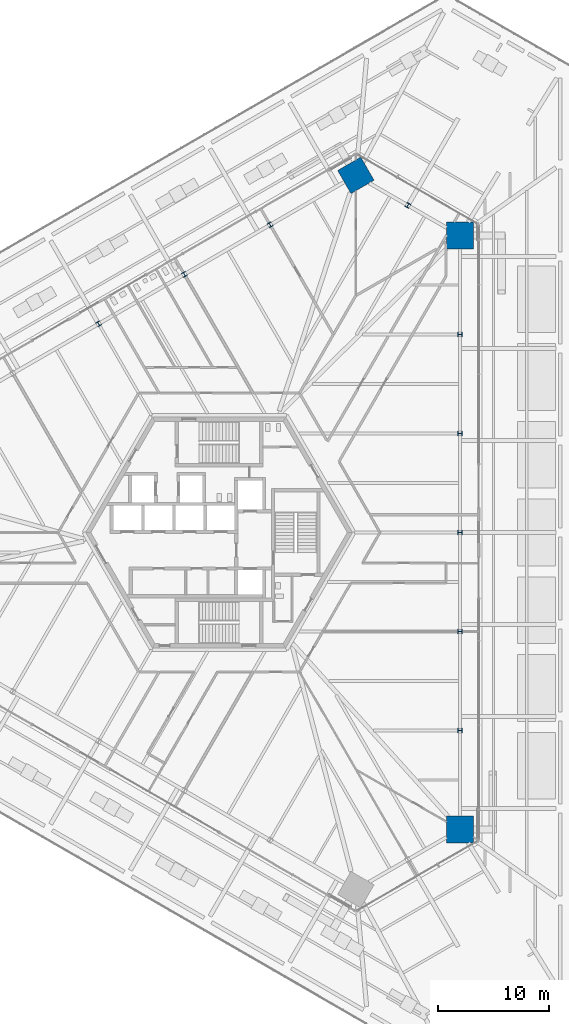
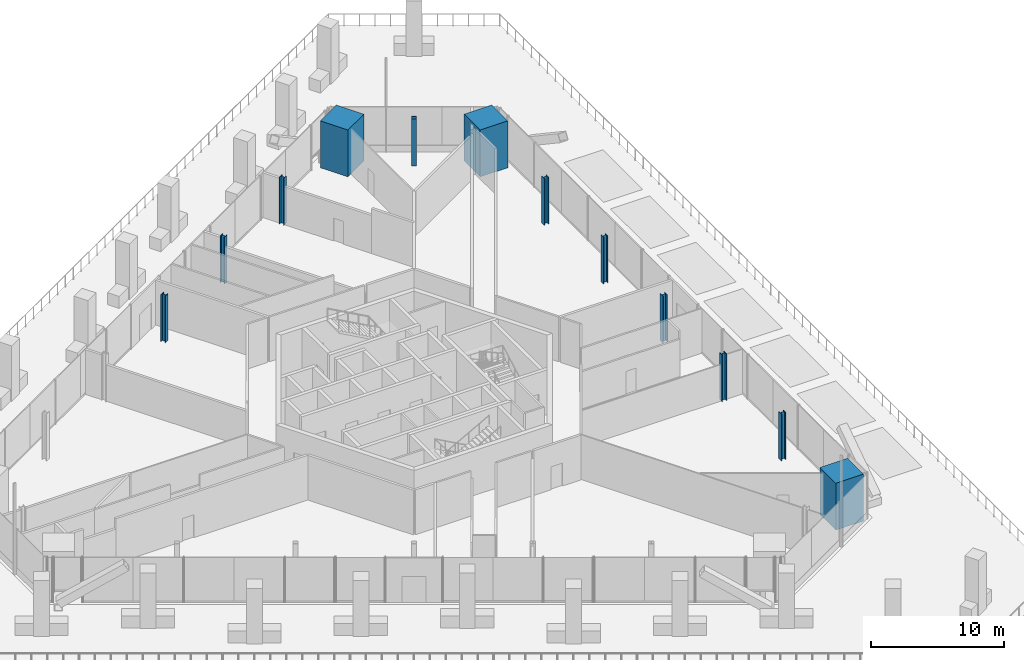
# One storey, part 2 of 38: 12 columns.
"""IFC4 building model written with IfcOpenShell, lengths in metres."""

import ifcopenshell
import ifcopenshell.guid

model = None  # the IFC model being written
_history = None  # IfcOwnerHistory: only IFC2X3 demands one
_inside = {}  # id of a spatial element -> (the spatial element, [elements in it])
_under = {}  # id of a project, library or spatial element -> (it, [spatial elements below it])
_declared = {}  # id of a project -> (the project, [libraries it declares])
_typed = {}  # id of a type object -> (the type object, [elements of that type])
_made_of = {}  # id of a material, layer set ... -> (it, [elements and type objects made of it])


def new_model(schema):
    """Start an empty IFC model of exactly this schema.

    Asked for "IFC4X3", IfcOpenShell would pick the latest addendum, in which some entities
    have other attributes; the version numbers below select the first issue.
    IFC2X3 requires an IfcOwnerHistory on every rooted entity: one is made here for all.
    """
    global model, _history
    if schema == "IFC4X3":
        model = ifcopenshell.file(schema_version=(4, 3, 0, 0))
    else:
        model = ifcopenshell.file(schema=schema)
    _inside.clear()
    _under.clear()
    _declared.clear()
    _typed.clear()
    _made_of.clear()
    _history = None
    if model.schema == "IFC2X3":
        org = make("IfcOrganization", Name="unknown")
        user = make(
            "IfcPersonAndOrganization",
            ThePerson=make("IfcPerson", FamilyName="unknown"),
            TheOrganization=org,
        )
        app = make(
            "IfcApplication",
            ApplicationDeveloper=org,
            Version="unknown",
            ApplicationFullName="unknown",
            ApplicationIdentifier="unknown",
        )
        _history = make(
            "IfcOwnerHistory",
            OwningUser=user,
            OwningApplication=app,
            ChangeAction="ADDED",
            CreationDate=0,
        )
    return model


def make(cls, **values):
    """One entity of the class cls with the attributes given. An attribute that is None is left unset."""
    return model.create_entity(
        cls, **{name: value for name, value in values.items() if value is not None}
    )


def rooted(cls, **values):
    """An entity with a GlobalId (a new one), such as an element, a storey or a relation."""
    return make(cls, GlobalId=ifcopenshell.guid.new(), OwnerHistory=_history, **values)


def si_unit(unit_type, name, prefix=None):
    """IfcSIUnit, for example si_unit("LENGTHUNIT", "METRE", prefix="MILLI")."""
    return make("IfcSIUnit", UnitType=unit_type, Prefix=prefix, Name=name)


def assignment(units):
    """IfcUnitAssignment: the units of a project."""
    return None if units is None else make("IfcUnitAssignment", Units=units)


def point(xyz):
    """IfcCartesianPoint."""
    return None if xyz is None else make("IfcCartesianPoint", Coordinates=xyz)


def direction(xyz):
    """IfcDirection."""
    return None if xyz is None else make("IfcDirection", DirectionRatios=xyz)


def frame(location, z_axis=None, x_axis=None):
    """IfcAxis2Placement3D, a coordinate frame: its origin and axes. An axis left out is left unset."""
    return make(
        "IfcAxis2Placement3D",
        Location=point(location),
        Axis=direction(z_axis),
        RefDirection=direction(x_axis),
    )


def frame_2d(location, x_axis=None):
    """IfcAxis2Placement2D, a coordinate frame in the plane: its origin and x axis."""
    return make(
        "IfcAxis2Placement2D", Location=point(location), RefDirection=direction(x_axis)
    )


def origin():
    """The frame at (0, 0, 0) with its axes left unset."""
    return frame((0.0, 0.0, 0.0))


def origin_2d():
    """The frame at (0, 0) in the plane with its x axis left unset."""
    return frame_2d((0.0, 0.0))


def place(relative_to, where):
    """IfcLocalPlacement: puts the frame where relative to a parent placement (None: the world)."""
    return make(
        "IfcLocalPlacement", PlacementRelTo=relative_to, RelativePlacement=where
    )


def context(
    kind, dimensions, precision=None, world=None, true_north=None, identifier=None
):
    """IfcGeometricRepresentationContext, for example the 3D "Model" context."""
    return make(
        "IfcGeometricRepresentationContext",
        ContextIdentifier=identifier,
        ContextType=kind,
        CoordinateSpaceDimension=dimensions,
        Precision=precision,
        WorldCoordinateSystem=world,
        TrueNorth=true_north,
    )


def subcontext(parent, identifier, kind, view, scale=None):
    """IfcGeometricRepresentationSubContext, for example "Body" below "Model"."""
    return make(
        "IfcGeometricRepresentationSubContext",
        ContextIdentifier=identifier,
        ContextType=kind,
        ParentContext=parent,
        TargetScale=scale,
        TargetView=view,
    )


def project(units=None, contexts=None):
    """IfcProject with its units and contexts."""
    return rooted(
        "IfcProject",
        Name="project",
        RepresentationContexts=contexts,
        UnitsInContext=assignment(units),
    )


def spatial(cls, under=None, at=None, **own):
    """A site, building, storey or space (cls), placed at a placement, below another one or the project."""
    s = rooted(cls, ObjectPlacement=at, **own)
    if under is not None:
        _under.setdefault(under.id(), (under, []))[1].append(s)
    return s


def profile(cls, at=None, kind="AREA", **sizes):
    """A parametric profile (cls). Its sizes go by their IFC names, for example OverallWidth=200.0."""
    return make(cls, ProfileType=kind, Position=at, **sizes)


def rectangle(**sizes):
    """IfcRectangleProfileDef."""
    return profile("IfcRectangleProfileDef", **sizes)


def i_section(**sizes):
    """IfcIShapeProfileDef."""
    return profile("IfcIShapeProfileDef", **sizes)


def extrude(swept, where, along, depth):
    """IfcExtrudedAreaSolid: the profile swept, set in the frame where, extruded along a direction by depth."""
    return make(
        "IfcExtrudedAreaSolid",
        SweptArea=swept,
        Position=where,
        ExtrudedDirection=direction(along),
        Depth=depth,
    )


def shape(context_of_items, identifier, shape_type, items):
    """IfcShapeRepresentation: the items that make up one representation, for example the "Body"."""
    return make(
        "IfcShapeRepresentation",
        ContextOfItems=context_of_items,
        RepresentationIdentifier=identifier,
        RepresentationType=shape_type,
        Items=items,
    )


def source(mapping_origin, context_of_items, identifier, shape_type, items):
    """IfcRepresentationMap: a shape defined once, which mapped items show again and again."""
    return make(
        "IfcRepresentationMap",
        MappingOrigin=mapping_origin,
        MappedRepresentation=shape(context_of_items, identifier, shape_type, items),
    )


def transform(
    local_origin,
    x_axis=None,
    y_axis=None,
    z_axis=None,
    scale=None,
    scale2=None,
    scale3=None,
    uniform=True,
):
    """IfcCartesianTransformationOperator3D, or its non-uniform kind. x_axis, y_axis, z_axis: its Axis1, 2, 3."""
    if uniform:
        return make(
            "IfcCartesianTransformationOperator3D",
            Axis1=direction(x_axis),
            Axis2=direction(y_axis),
            LocalOrigin=point(local_origin),
            Scale=scale,
            Axis3=direction(z_axis),
        )
    return make(
        "IfcCartesianTransformationOperator3DnonUniform",
        Axis1=direction(x_axis),
        Axis2=direction(y_axis),
        LocalOrigin=point(local_origin),
        Scale=scale,
        Axis3=direction(z_axis),
        Scale2=scale2,
        Scale3=scale3,
    )


def mapped(mapping_source, mapping_target):
    """IfcMappedItem: shows the shape of a source again, moved by a transform."""
    return make(
        "IfcMappedItem", MappingSource=mapping_source, MappingTarget=mapping_target
    )


def material(Name=None, Category=None):
    """IfcMaterial."""
    return make("IfcMaterial", Name=Name, Category=Category)


def material_profile(
    of_material, cross_section, Name=None, Category=None, Priority=None
):
    """IfcMaterialProfile: a cross section and its material."""
    return make(
        "IfcMaterialProfile",
        Name=Name,
        Material=of_material,
        Profile=cross_section,
        Priority=Priority,
        Category=Category,
    )


def profile_set(profiles, Name=None, composite=None):
    """IfcMaterialProfileSet."""
    return make(
        "IfcMaterialProfileSet",
        Name=Name,
        MaterialProfiles=profiles,
        CompositeProfile=composite,
    )


def made_of(thing, what):
    """Note that an element or type object is made of a material, layer set ...; save() writes the relation."""
    if what is not None:
        _made_of.setdefault(what.id(), (what, []))[1].append(thing)
    return thing


def type_object(cls, material=None, **own):
    """A type object (cls), such as IfcWallType, which elements share."""
    return made_of(rooted(cls, **own), material)


def element(
    cls,
    number,
    at=None,
    inside=None,
    cuts=None,
    type_object=None,
    material=None,
    context=None,
    identifier="Body",
    shape_type=None,
    held_by="IfcProductDefinitionShape",
    body=None,
    shapes=None,
    **own,
):
    """One element of the class cls, such as IfcWall. Its Tag is "e" and its number.

    at: its placement. inside: the storey or other place that contains it. cuts: it is an
    opening in that element (IfcRelVoidsElement). A single representation is given by context,
    identifier, shape_type and body (its items); several are given by shapes. held_by: the class
    of the entity that holds the representations. save() writes the other relations.
    """
    e = rooted(cls, Tag="e%d" % number, ObjectPlacement=at, **own)
    if body is not None:
        shapes = [shape(context, identifier, shape_type, body)]
    if shapes is not None:
        e.Representation = make(held_by, Representations=shapes)
    if inside is not None:
        _inside.setdefault(inside.id(), (inside, []))[1].append(e)
    if cuts is not None:
        rooted(
            "IfcRelVoidsElement", RelatingBuildingElement=cuts, RelatedOpeningElement=e
        )
    if type_object is not None:
        _typed.setdefault(type_object.id(), (type_object, []))[1].append(e)
    return made_of(e, material)


def aggregate(whole, parts):
    """IfcRelAggregates: a whole, such as a stair, and the parts it consists of."""
    return rooted("IfcRelAggregates", RelatingObject=whole, RelatedObjects=parts)


def save(model, path):
    """Write the relations noted so far, then the file.

    IfcRelAggregates (storeys below a building ...), IfcRelContainedInSpatialStructure (elements
    in a storey), IfcRelDefinesByType, IfcRelAssociatesMaterial and IfcRelDeclares: one each for
    every whole, place, type object, material and project.
    """
    for whole, parts in _under.values():
        aggregate(whole, parts)
    for where, things in _inside.values():
        rooted(
            "IfcRelContainedInSpatialStructure",
            RelatedElements=things,
            RelatingStructure=where,
        )
    for kind, things in _typed.values():
        rooted("IfcRelDefinesByType", RelatedObjects=things, RelatingType=kind)
    for what, things in _made_of.values():
        rooted("IfcRelAssociatesMaterial", RelatedObjects=things, RelatingMaterial=what)
    for by, libraries in _declared.values():
        rooted("IfcRelDeclares", RelatingContext=by, RelatedDefinitions=libraries)
    model.write(path)


model = new_model("IFC4")

# Units and contexts
model_context = context("Model", 3, precision=1e-05, world=origin(), true_north=direction((0.0, 1.0)))
body_context = subcontext(model_context, "Body", "Model", "MODEL_VIEW")
ifc_project = project(units=[si_unit("LENGTHUNIT", "METRE"), si_unit("AREAUNIT", "SQUARE_METRE"), si_unit("VOLUMEUNIT", "CUBIC_METRE"), si_unit("PLANEANGLEUNIT", "RADIAN"), si_unit("MASSUNIT", "GRAM", prefix="KILO")], contexts=[model_context])

# Site, building, storey
site_placement = place(None, origin())
site = spatial("IfcSite", under=ifc_project, at=site_placement, CompositionType="ELEMENT")
building_placement = place(site_placement, origin())
building = spatial("IfcBuilding", under=site, at=building_placement, Name="Triune Harvest Tower", CompositionType="ELEMENT")
storey_placement = place(building_placement, frame((0.0, 0.0, 16.0)))
storey = spatial("IfcBuildingStorey", under=building, at=storey_placement, Name="L03", CompositionType="ELEMENT", Elevation=16.0)

# Columns
ifc_material_1 = material(Name="Concrete 70 MPa", Category="concrete")
ifc_material_profile_1 = material_profile(ifc_material_1, rectangle(XDim=2.39990234375, YDim=2.39990234375, at=origin_2d()), Name="Composite 2400x2400")
ifc_profile_set_1 = profile_set([ifc_material_profile_1], Name="Concrete 70 MPa")
column_type_1 = type_object("IfcColumnType", Name="MC-1 Mega column Composite 2400x2400", PredefinedType="COLUMN", material=ifc_profile_set_1)
shared_shape_1 = source(origin(), body_context, "Body", "SweptSolid", [
    extrude(rectangle(XDim=2.39990234375, YDim=2.39990234375, at=origin_2d()), origin(), (0.0, 0.0, 1.0), 4.300048828125),
])
for number, where, z_axis, x_axis, name in (
    (1, (21.679443359375, -26.72998046875, 0.0), (0.0, 0.0, 1.0), (0.0, 1.0, 0.0), "col/L03/M0"),
    (2, (21.679443359375, 26.72998046875, 0.0), (0.0, 0.0, 1.0), (0.0, 1.0, 0.0), "col/L03/M6"),
    (3, (12.30908203125, 32.139892578125, 0.0), (0.0, 0.0, 1.0), (-0.866025403784, -0.5, 0.0), "col/L03/M8"),
):
    element("IfcColumn", number, at=place(storey_placement, frame(where, z_axis=z_axis, x_axis=x_axis)), inside=storey, type_object=column_type_1, Name=name, PredefinedType="COLUMN", context=body_context, shape_type="MappedRepresentation", body=[
        mapped(shared_shape_1, transform((0.0, 0.0, 0.0), scale=1.0)),
    ])
ifc_material_2 = material(Name="Steel ASTM A992 Gr 50", Category="steel")
ifc_material_profile_2 = material_profile(ifc_material_2, i_section(OverallWidth=0.40380859375, OverallDepth=0.406494140625, WebThickness=0.027099609375, FlangeThickness=0.043701171875, at=origin_2d()), Name="W14x233")
ifc_profile_set_2 = profile_set([ifc_material_profile_2], Name="Steel ASTM A992 Gr 50")
column_type_2 = type_object("IfcColumnType", Name="PC-1 Perimeter column W14x233", PredefinedType="COLUMN", material=ifc_profile_set_2)
shared_shape_2 = source(origin(), body_context, "Body", "SweptSolid", [
    extrude(i_section(OverallWidth=0.40380859375, OverallDepth=0.406494140625, WebThickness=0.027099609375, FlangeThickness=0.043701171875, at=origin_2d()), origin(), (0.0, 0.0, 1.0), 4.300048828125),
])
for number, where, z_axis, x_axis, name in (
    (4, (21.679443359375, -17.820068359375, 0.0), (0.0, 0.0, 1.0), (0.0, 1.0, 0.0), "col/L03/P1"),
    (5, (21.679443359375, -8.909912109375, 0.0), (0.0, 0.0, 1.0), (0.0, 1.0, 0.0), "col/L03/P2"),
    (6, (21.679443359375, 0.0, 0.0), (0.0, 0.0, 1.0), (0.0, 1.0, 0.0), "col/L03/P3"),
    (7, (21.679443359375, 8.909912109375, 0.0), (0.0, 0.0, 1.0), (0.0, 1.0, 0.0), "col/L03/P4"),
    (8, (21.679443359375, 17.820068359375, 0.0), (0.0, 0.0, 1.0), (0.0, 1.0, 0.0), "col/L03/P5"),
    (9, (16.994384765625, 29.43505859375, 0.0), (0.0, 0.0, 1.0), (-0.866026276448, 0.4999984885, 0.0), "col/L03/P7"),
    (10, (4.5927734375, 27.68505859375, 0.0), (0.0, 0.0, 1.0), (-0.866025403784, -0.5, 0.0), "col/L03/P9"),
    (11, (-3.12353515625, 23.22998046875, 0.0), (0.0, 0.0, 1.0), (-0.866025403784, -0.5, 0.0), "col/L03/P10"),
    (12, (-10.839599609375, 18.77490234375, 0.0), (0.0, 0.0, 1.0), (-0.866025403784, -0.5, 0.0), "col/L03/P11"),
):
    element("IfcColumn", number, at=place(storey_placement, frame(where, z_axis=z_axis, x_axis=x_axis)), inside=storey, type_object=column_type_2, Name=name, PredefinedType="COLUMN", context=body_context, shape_type="MappedRepresentation", body=[
        mapped(shared_shape_2, transform((0.0, 0.0, 0.0), scale=1.0)),
    ])

save(model, "model.ifc")
